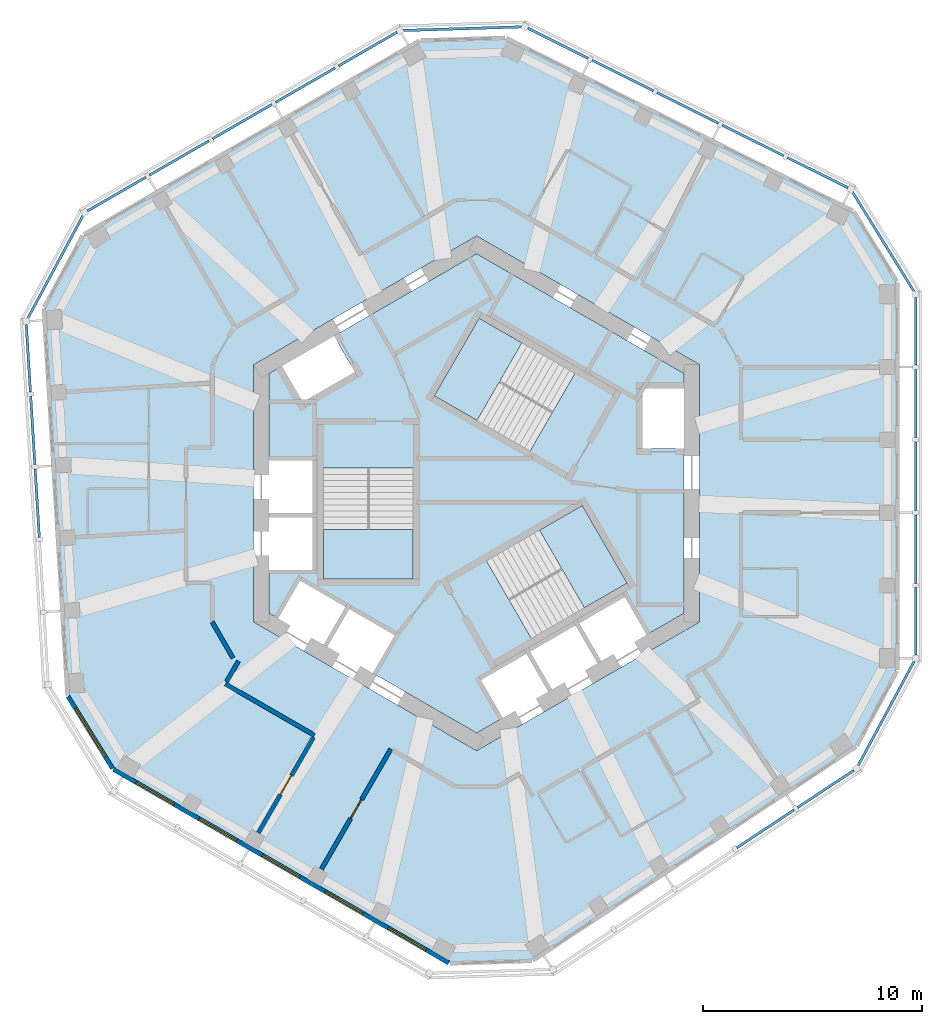
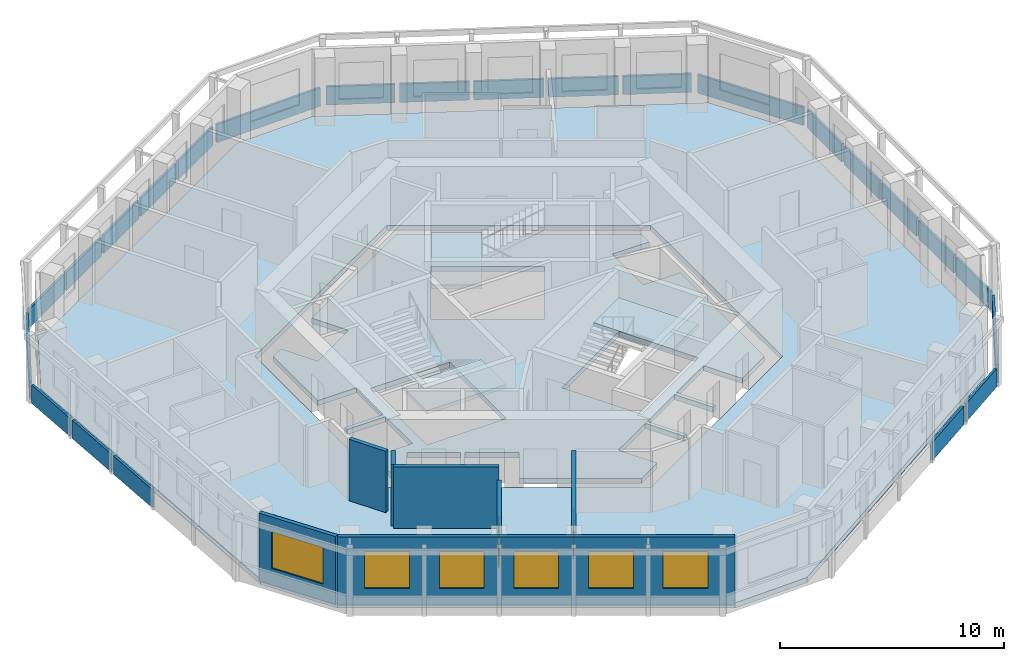
# One storey, part 3 of 11: 24 plates, 7 walls, 6 windows, 5 slabs, 2 doors, 8 openings, 12 elements without a shape of their own.
"""IFC4 building model written with IfcOpenShell, lengths in metres."""

from ifc_helpers import new_model, si_unit, direction, frame, frame_2d, origin, origin_2d, place, context, subcontext, project, spatial, polyline, rectangle, outline, extrude, material, layer, layer_set, type_object, element, fill, aggregate, save


model = new_model("IFC4")

# Units and contexts
model_context = context("Model", 3, precision=1e-05, world=origin(), true_north=direction((0.0, 1.0)))
body_context = subcontext(model_context, "Body", "Model", "MODEL_VIEW")
ifc_project = project(units=[si_unit("LENGTHUNIT", "METRE"), si_unit("AREAUNIT", "SQUARE_METRE"), si_unit("VOLUMEUNIT", "CUBIC_METRE"), si_unit("PLANEANGLEUNIT", "RADIAN"), si_unit("MASSUNIT", "GRAM", prefix="KILO")], contexts=[model_context])

# Site, building, storey
site_placement = place(None, origin())
site = spatial("IfcSite", under=ifc_project, at=site_placement, CompositionType="ELEMENT")
building_placement = place(site_placement, origin())
building = spatial("IfcBuilding", under=site, at=building_placement, Name="Vanh Sen Convention Tower", CompositionType="ELEMENT")
storey_placement = place(building_placement, frame((0.0, 0.0, 296.800048828125)))
storey = spatial("IfcBuildingStorey", under=building, at=storey_placement, Name="L73", CompositionType="ELEMENT", Elevation=296.800048828125)

# Slabs
ifc_material_1 = material(Name="Concrete C40/50", Category="concrete")
ifc_layer_1 = layer(ifc_material_1, 0.280029296875)
ifc_layer_set_1 = layer_set([ifc_layer_1], Name="Concrete C40/50")
slab_type_1 = type_object("IfcSlabType", Name="Core slab 280", PredefinedType="FLOOR", material=ifc_layer_set_1)
slab_1_placement = place(storey_placement, frame((0.0, 0.0, -0.280029296875)))
element("IfcSlab", 1, at=slab_1_placement, inside=storey, type_object=slab_type_1, Name="Core slab L73", PredefinedType="FLOOR", context=body_context, shape_type="SweptSolid", body=[
    extrude(outline(polyline([(0.0, 10.9697265625), (9.5, 5.48486328125), (9.5, 4.800048828125), (7.60009765625, 4.800048828125), (7.60009765625, 2.050048828125), (9.5, 2.050048828125), (9.5, -5.48486328125), (7.781005859375, -6.477294921875), (6.781005859375, -4.7451171875), (4.70263671875, -5.9453125), (5.70263671875, -7.67724609375), (5.529296875, -7.777099609375), (4.529296875, -6.045166015625), (2.450927734375, -7.2451171875), (3.450927734375, -8.977294921875), (3.27783203125, -9.0771484375), (2.27783203125, -7.34521484375), (0.19921875, -8.545166015625), (1.19921875, -10.277099609375), (0.0, -10.9697265625), (-4.75, -8.227294921875), (-3.75, -6.4951171875), (-5.82861328125, -5.295166015625), (-6.82861328125, -7.027099609375), (-7.001708984375, -6.92724609375), (-6.001708984375, -5.1953125), (-8.080078125, -3.9951171875), (-9.080078125, -5.727294921875), (-9.5, -5.48486328125), (-9.5, -3.5), (-7.5, -3.5), (-7.5, -1.10009765625), (-9.5, -1.10009765625), (-9.5, -0.89990234375), (-7.5, -0.89990234375), (-7.5, 1.5), (-9.5, 1.5), (-9.5, 5.48486328125), (-8.906982421875, 5.8271484375), (-7.956787109375, 4.181884765625), (-5.575439453125, 5.556884765625), (-6.525390625, 7.2021484375), (0.0, 10.9697265625)]), holes=[polyline([(-7.0, 1.1494140625), (-7.0, -3.909912109375), (-2.89990234375, -3.909912109375), (-2.89990234375, 1.1494140625), (-7.0, 1.1494140625)]), polyline([(2.504638671875, -6.63671875), (6.88623046875, -4.107177734375), (4.836181640625, -0.556396484375), (0.45458984375, -3.086181640625), (2.504638671875, -6.63671875)]), polyline([(0.11376953125, 8.01708984375), (-1.936279296875, 4.466552734375), (2.4453125, 1.936767578125), (4.495361328125, 5.487548828125), (0.11376953125, 8.01708984375)])]), origin(), (0.0, 0.0, 1.0), 0.280029296875),
])
ifc_layer_2 = layer(ifc_material_1, 0.280029296875)
ifc_layer_set_2 = layer_set([ifc_layer_2], Name="Concrete C40/50")
slab_type_2 = type_object("IfcSlabType", Name="Floor slab 280 REI 120", PredefinedType="FLOOR", material=ifc_layer_set_2)
slab_2_placement = place(storey_placement, frame((0.0, 0.0, -0.280029296875)))
element("IfcSlab", 2, at=slab_2_placement, inside=storey, type_object=slab_type_2, Name="Floor slab L73 tower", PredefinedType="FLOOR", context=body_context, shape_type="SweptSolid", body=[
    extrude(outline(polyline([(19.199951171875, -8.0966796875), (19.199951171875, 9.66162109375), (17.21337890625, 12.871826171875), (1.32080078125, 20.79541015625), (-2.587890625, 20.676025390625), (-17.967041015625, 11.796875), (-19.75390625, 8.471435546875), (-18.669921875, -9.25390625), (-16.612060546875, -12.579345703125), (-1.23291015625, -21.45849609375), (2.54052734375, -21.34326171875), (17.34912109375, -11.541748046875), (19.199951171875, -8.0966796875)]), holes=[polyline([(0.0, 11.77783203125), (-10.199951171875, 5.888916015625), (-10.199951171875, -5.888916015625), (0.0, -11.77783203125), (10.199951171875, -5.888916015625), (10.199951171875, 5.888916015625), (0.0, 11.77783203125)])]), origin(), (0.0, 0.0, 1.0), 0.280029296875),
])

# Curtain wall, plates
ifc_material_2 = material(Name="Concrete C50/60", Category="concrete")
curtain_wall_type = type_object("IfcCurtainWallType", Name="Outer skin office zone", PredefinedType="NOTDEFINED", material=ifc_material_2)
curtain_wall_1_placement = place(storey_placement, origin())
curtain_wall_1 = element("IfcCurtainWall", 3, at=curtain_wall_1_placement, inside=storey, type_object=curtain_wall_type, Name="OUTER SKIN E L73", PredefinedType="NOTDEFINED")
ifc_layer_3 = layer(ifc_material_2, 0.1201171875)
ifc_layer_set_3 = layer_set([ifc_layer_3], Name="Concrete C50/60")
plate_type = type_object("IfcPlateType", Name="Outer skin precast screen panel 120", PredefinedType="CURTAIN_PANEL", material=ifc_layer_set_3)
plate_1_placement = place(storey_placement, frame((20.10009765625, -5.85595703125, 0.0), z_axis=(0.0, 0.0, 1.0), x_axis=(0.0, 1.0, 0.0)))
plate_1 = element("IfcPlate", 4, at=plate_1_placement, type_object=plate_type, Name="OUTER SKIN screen panel E-1", PredefinedType="CURTAIN_PANEL", context=body_context, shape_type="SweptSolid", body=[
    extrude(rectangle(XDim=3.08154296875, YDim=0.1201171875, at=origin_2d()), origin(), (0.0, 0.0, 1.0), 1.0),
])
plate_2_placement = place(storey_placement, frame((20.10009765625, -2.54931640625, 0.0), z_axis=(0.0, 0.0, 1.0), x_axis=(0.0, 1.0, 0.0)))
plate_2 = element("IfcPlate", 5, at=plate_2_placement, type_object=plate_type, Name="OUTER SKIN screen panel E-2", PredefinedType="CURTAIN_PANEL", context=body_context, shape_type="SweptSolid", body=[
    extrude(rectangle(XDim=3.131591796875, YDim=0.1201171875, at=origin_2d()), origin(), (0.0, 0.0, 1.0), 1.0),
])
plate_3_placement = place(storey_placement, frame((20.10009765625, 0.782470703125, 0.0), z_axis=(0.0, 0.0, 1.0), x_axis=(0.0, 1.0, 0.0)))
plate_3 = element("IfcPlate", 6, at=plate_3_placement, type_object=plate_type, Name="OUTER SKIN screen panel E-3", PredefinedType="CURTAIN_PANEL", context=body_context, shape_type="SweptSolid", body=[
    extrude(rectangle(XDim=3.131591796875, YDim=0.1201171875, at=origin_2d()), origin(), (0.0, 0.0, 1.0), 1.0),
])
plate_4_placement = place(storey_placement, frame((20.10009765625, 4.114013671875, 0.0), z_axis=(0.0, 0.0, 1.0), x_axis=(0.0, 1.0, 0.0)))
plate_4 = element("IfcPlate", 7, at=plate_4_placement, type_object=plate_type, Name="OUTER SKIN screen panel E-4", PredefinedType="CURTAIN_PANEL", context=body_context, shape_type="SweptSolid", body=[
    extrude(rectangle(XDim=3.131591796875, YDim=0.1201171875, at=origin_2d()), origin(), (0.0, 0.0, 1.0), 1.0),
])
plate_5_placement = place(storey_placement, frame((20.10009765625, 7.420654296875, 0.0), z_axis=(0.0, 0.0, 1.0), x_axis=(0.0, 1.0, 0.0)))
plate_5 = element("IfcPlate", 8, at=plate_5_placement, type_object=plate_type, Name="OUTER SKIN screen panel E-5", PredefinedType="CURTAIN_PANEL", context=body_context, shape_type="SweptSolid", body=[
    extrude(rectangle(XDim=3.08154296875, YDim=0.1201171875, at=origin_2d()), origin(), (0.0, 0.0, 1.0), 1.0),
])
aggregate(curtain_wall_1, [plate_1, plate_2, plate_3, plate_4, plate_5])

# Curtain wall, plate
curtain_wall_2_placement = place(storey_placement, origin())
curtain_wall_2 = element("IfcCurtainWall", 9, at=curtain_wall_2_placement, inside=storey, type_object=curtain_wall_type, Name="OUTER SKIN CH1 L73", PredefinedType="NOTDEFINED")
plate_6_placement = place(storey_placement, frame((18.611328125, 11.51708984375, 0.0), z_axis=(0.0, 0.0, 1.0), x_axis=(-0.526218376078, 0.850349469734, 0.0)))
plate_6 = element("IfcPlate", 10, at=plate_6_placement, type_object=plate_type, Name="OUTER SKIN screen panel CH1-1", PredefinedType="CURTAIN_PANEL", context=body_context, shape_type="SweptSolid", body=[
    extrude(rectangle(XDim=5.35791015625, YDim=0.1201171875, at=origin_2d()), origin(), (0.0, 0.0, 1.0), 1.0),
])
aggregate(curtain_wall_2, [plate_6])

# Curtain wall, plates
curtain_wall_3_placement = place(storey_placement, origin())
curtain_wall_3 = element("IfcCurtainWall", 11, at=curtain_wall_3_placement, inside=storey, type_object=curtain_wall_type, Name="OUTER SKIN NE L73", PredefinedType="NOTDEFINED")
plate_7_placement = place(storey_placement, frame((15.609619140625, 14.677001953125, 0.0), z_axis=(0.0, 0.0, 1.0), x_axis=(-0.894931246532, 0.446204060919, 0.0)))
plate_7 = element("IfcPlate", 12, at=plate_7_placement, type_object=plate_type, Name="OUTER SKIN screen panel NE-1", PredefinedType="CURTAIN_PANEL", context=body_context, shape_type="SweptSolid", body=[
    extrude(rectangle(XDim=3.081787109375, YDim=0.1201171875, at=origin_2d()), origin(), (0.0, 0.0, 1.0), 1.0),
])
plate_8_placement = place(storey_placement, frame((12.650390625, 16.152587890625, 0.0), z_axis=(0.0, 0.0, 1.0), x_axis=(-0.894931246532, 0.446204060919, 0.0)))
plate_8 = element("IfcPlate", 13, at=plate_8_placement, type_object=plate_type, Name="OUTER SKIN screen panel NE-2", PredefinedType="CURTAIN_PANEL", context=body_context, shape_type="SweptSolid", body=[
    extrude(rectangle(XDim=3.131591796875, YDim=0.1201171875, at=origin_2d()), origin(), (0.0, 0.0, 1.0), 1.0),
])
plate_9_placement = place(storey_placement, frame((9.668701171875, 17.63916015625, 0.0), z_axis=(0.0, 0.0, 1.0), x_axis=(-0.894931246532, 0.446204060919, 0.0)))
plate_9 = element("IfcPlate", 14, at=plate_9_placement, type_object=plate_type, Name="OUTER SKIN screen panel NE-3", PredefinedType="CURTAIN_PANEL", context=body_context, shape_type="SweptSolid", body=[
    extrude(rectangle(XDim=3.131591796875, YDim=0.1201171875, at=origin_2d()), origin(), (0.0, 0.0, 1.0), 1.0),
])
plate_10_placement = place(storey_placement, frame((6.687255859375, 19.125732421875, 0.0), z_axis=(0.0, 0.0, 1.0), x_axis=(-0.89494292782, 0.446180631521, 0.0)))
plate_10 = element("IfcPlate", 15, at=plate_10_placement, type_object=plate_type, Name="OUTER SKIN screen panel NE-4", PredefinedType="CURTAIN_PANEL", context=body_context, shape_type="SweptSolid", body=[
    extrude(rectangle(XDim=3.131591796875, YDim=0.1201171875, at=origin_2d()), origin(), (0.0, 0.0, 1.0), 1.0),
])
plate_11_placement = place(storey_placement, frame((3.727783203125, 20.60107421875, 0.0), z_axis=(0.0, 0.0, 1.0), x_axis=(-0.894931246532, 0.446204060919, 0.0)))
plate_11 = element("IfcPlate", 16, at=plate_11_placement, type_object=plate_type, Name="OUTER SKIN screen panel NE-5", PredefinedType="CURTAIN_PANEL", context=body_context, shape_type="SweptSolid", body=[
    extrude(rectangle(XDim=3.081787109375, YDim=0.1201171875, at=origin_2d()), origin(), (0.0, 0.0, 1.0), 1.0),
])
aggregate(curtain_wall_3, [plate_7, plate_8, plate_9, plate_10, plate_11])

# Curtain wall, plate
curtain_wall_4_placement = place(storey_placement, origin())
curtain_wall_4 = element("IfcCurtainWall", 17, at=curtain_wall_4_placement, inside=storey, type_object=curtain_wall_type, Name="OUTER SKIN CH2 L73", PredefinedType="NOTDEFINED")
plate_12_placement = place(storey_placement, frame((-0.64990234375, 21.26806640625, 0.0), z_axis=(0.0, 0.0, 1.0), x_axis=(-0.99953391058, -0.030528046117, 0.0)))
plate_12 = element("IfcPlate", 18, at=plate_12_placement, type_object=plate_type, Name="OUTER SKIN screen panel CH2-1", PredefinedType="CURTAIN_PANEL", context=body_context, shape_type="SweptSolid", body=[
    extrude(rectangle(XDim=5.431640625, YDim=0.1201171875, at=origin_2d()), origin(), (0.0, 0.0, 1.0), 1.0),
])
aggregate(curtain_wall_4, [plate_12])

# Curtain wall, plates
curtain_wall_5_placement = place(storey_placement, origin())
curtain_wall_5 = element("IfcCurtainWall", 19, at=curtain_wall_5_placement, inside=storey, type_object=curtain_wall_type, Name="OUTER SKIN NW L73", PredefinedType="NOTDEFINED")
plate_13_placement = place(storey_placement, frame((-4.978515625, 20.335205078125, 0.0), z_axis=(0.0, 0.0, 1.0), x_axis=(-0.866015804314, -0.500016626402, 0.0)))
plate_13 = element("IfcPlate", 20, at=plate_13_placement, type_object=plate_type, Name="OUTER SKIN screen panel NW-1", PredefinedType="CURTAIN_PANEL", context=body_context, shape_type="SweptSolid", body=[
    extrude(rectangle(XDim=3.081787109375, YDim=0.1201171875, at=origin_2d()), origin(), (0.0, 0.0, 1.0), 1.0),
])
plate_14_placement = place(storey_placement, frame((-7.84228515625, 18.681640625, 0.0), z_axis=(0.0, 0.0, 1.0), x_axis=(-0.866028894422, -0.49999395399, 0.0)))
plate_14 = element("IfcPlate", 21, at=plate_14_placement, type_object=plate_type, Name="OUTER SKIN screen panel NW-2", PredefinedType="CURTAIN_PANEL", context=body_context, shape_type="SweptSolid", body=[
    extrude(rectangle(XDim=3.131591796875, YDim=0.1201171875, at=origin_2d()), origin(), (0.0, 0.0, 1.0), 1.0),
])
plate_15_placement = place(storey_placement, frame((-10.7275390625, 17.015869140625, 0.0), z_axis=(0.0, 0.0, 1.0), x_axis=(-0.866028894422, -0.49999395399, 0.0)))
plate_15 = element("IfcPlate", 22, at=plate_15_placement, type_object=plate_type, Name="OUTER SKIN screen panel NW-3", PredefinedType="CURTAIN_PANEL", context=body_context, shape_type="SweptSolid", body=[
    extrude(rectangle(XDim=3.131591796875, YDim=0.1201171875, at=origin_2d()), origin(), (0.0, 0.0, 1.0), 1.0),
])
plate_16_placement = place(storey_placement, frame((-13.61279296875, 15.35009765625, 0.0), z_axis=(0.0, 0.0, 1.0), x_axis=(-0.866015804314, -0.500016626402, 0.0)))
plate_16 = element("IfcPlate", 23, at=plate_16_placement, type_object=plate_type, Name="OUTER SKIN screen panel NW-4", PredefinedType="CURTAIN_PANEL", context=body_context, shape_type="SweptSolid", body=[
    extrude(rectangle(XDim=3.131591796875, YDim=0.1201171875, at=origin_2d()), origin(), (0.0, 0.0, 1.0), 1.0),
])
plate_17_placement = place(storey_placement, frame((-16.4765625, 13.69677734375, 0.0), z_axis=(0.0, 0.0, 1.0), x_axis=(-0.866028894422, -0.49999395399, 0.0)))
plate_17 = element("IfcPlate", 24, at=plate_17_placement, type_object=plate_type, Name="OUTER SKIN screen panel NW-5", PredefinedType="CURTAIN_PANEL", context=body_context, shape_type="SweptSolid", body=[
    extrude(rectangle(XDim=3.08154296875, YDim=0.1201171875, at=origin_2d()), origin(), (0.0, 0.0, 1.0), 1.0),
])
aggregate(curtain_wall_5, [plate_13, plate_14, plate_15, plate_16, plate_17])

# Curtain wall, plate
curtain_wall_6_placement = place(storey_placement, origin())
curtain_wall_6 = element("IfcCurtainWall", 25, at=curtain_wall_6_placement, inside=storey, type_object=curtain_wall_type, Name="OUTER SKIN CH3 L73", PredefinedType="NOTDEFINED")
plate_18_placement = place(storey_placement, frame((-19.27978515625, 10.359375, 0.0), z_axis=(0.0, 0.0, 1.0), x_axis=(-0.473324279511, -0.880888259897, 0.0)))
plate_18 = element("IfcPlate", 26, at=plate_18_placement, type_object=plate_type, Name="OUTER SKIN screen panel CH3-1", PredefinedType="CURTAIN_PANEL", context=body_context, shape_type="SweptSolid", body=[
    extrude(rectangle(XDim=5.35791015625, YDim=0.1201171875, at=origin_2d()), origin(), (0.0, 0.0, 1.0), 1.0),
])
aggregate(curtain_wall_6, [plate_18])

# Curtain wall, plates
curtain_wall_7_placement = place(storey_placement, origin())
curtain_wall_7 = element("IfcCurtainWall", 27, at=curtain_wall_7_placement, inside=storey, type_object=curtain_wall_type, Name="OUTER SKIN W L73", PredefinedType="NOTDEFINED")
plate_19_placement = place(storey_placement, frame((-20.515380859375, 6.1796875, 0.0), z_axis=(0.0, 0.0, 1.0), x_axis=(0.061052023682, -0.998134585316, 0.0)))
plate_19 = element("IfcPlate", 28, at=plate_19_placement, type_object=plate_type, Name="OUTER SKIN screen panel W-1", PredefinedType="CURTAIN_PANEL", context=body_context, shape_type="SweptSolid", body=[
    extrude(rectangle(XDim=3.08154296875, YDim=0.1201171875, at=origin_2d()), origin(), (0.0, 0.0, 1.0), 1.0),
])
plate_20_placement = place(storey_placement, frame((-20.313720703125, 2.87939453125, 0.0), z_axis=(0.0, 0.0, 1.0), x_axis=(0.061050281609, -0.998134691871, 0.0)))
plate_20 = element("IfcPlate", 29, at=plate_20_placement, type_object=plate_type, Name="OUTER SKIN screen panel W-2", PredefinedType="CURTAIN_PANEL", context=body_context, shape_type="SweptSolid", body=[
    extrude(rectangle(XDim=3.131591796875, YDim=0.1201171875, at=origin_2d()), origin(), (0.0, 0.0, 1.0), 1.0),
])
plate_21_placement = place(storey_placement, frame((-20.1103515625, -0.4462890625, 0.0), z_axis=(0.0, 0.0, 1.0), x_axis=(0.061052023682, -0.998134585316, 0.0)))
plate_21 = element("IfcPlate", 30, at=plate_21_placement, type_object=plate_type, Name="OUTER SKIN screen panel W-3", PredefinedType="CURTAIN_PANEL", context=body_context, shape_type="SweptSolid", body=[
    extrude(rectangle(XDim=3.131591796875, YDim=0.1201171875, at=origin_2d()), origin(), (0.0, 0.0, 1.0), 1.0),
])
aggregate(curtain_wall_7, [plate_19, plate_20, plate_21])

curtain_wall_8_placement = place(storey_placement, origin())
curtain_wall_8 = element("IfcCurtainWall", 31, at=curtain_wall_8_placement, inside=storey, type_object=curtain_wall_type, Name="OUTER SKIN SE L73", PredefinedType="NOTDEFINED")
plate_22_placement = place(storey_placement, frame((13.2197265625, -15.35400390625, 0.0), z_axis=(0.0, 0.0, 1.0), x_axis=(0.833879078823, 0.551947173108, 0.0)))
plate_22 = element("IfcPlate", 32, at=plate_22_placement, type_object=plate_type, Name="OUTER SKIN screen panel SE-4", PredefinedType="CURTAIN_PANEL", context=body_context, shape_type="SweptSolid", body=[
    extrude(rectangle(XDim=3.131591796875, YDim=0.1201171875, at=origin_2d()), origin(), (0.0, 0.0, 1.0), 1.0),
])
plate_23_placement = place(storey_placement, frame((15.97705078125, -13.529052734375, 0.0), z_axis=(0.0, 0.0, 1.0), x_axis=(0.833879078823, 0.551947173108, 0.0)))
plate_23 = element("IfcPlate", 33, at=plate_23_placement, type_object=plate_type, Name="OUTER SKIN screen panel SE-5", PredefinedType="CURTAIN_PANEL", context=body_context, shape_type="SweptSolid", body=[
    extrude(rectangle(XDim=3.081787109375, YDim=0.1201171875, at=origin_2d()), origin(), (0.0, 0.0, 1.0), 1.0),
])
aggregate(curtain_wall_8, [plate_22, plate_23])

# Curtain wall, plate
curtain_wall_9_placement = place(storey_placement, origin())
curtain_wall_9 = element("IfcCurtainWall", 34, at=curtain_wall_9_placement, inside=storey, type_object=curtain_wall_type, Name="OUTER SKIN CH6 L73", PredefinedType="NOTDEFINED")
plate_24_placement = place(storey_placement, frame((18.743408203125, -10.0712890625, 0.0), z_axis=(0.0, 0.0, 1.0), x_axis=(0.473324279511, 0.880888259897, 0.0)))
plate_24 = element("IfcPlate", 35, at=plate_24_placement, type_object=plate_type, Name="OUTER SKIN screen panel CH6-1", PredefinedType="CURTAIN_PANEL", context=body_context, shape_type="SweptSolid", body=[
    extrude(rectangle(XDim=5.431884765625, YDim=0.1201171875, at=origin_2d()), origin(), (0.0, 0.0, 1.0), 1.0),
])
aggregate(curtain_wall_9, [plate_24])

# Stair, slab
ifc_material_3 = material(Name="Concrete C50/60", Category="concrete")
stair_type_1 = type_object("IfcStairType", Name="Exit stair ST1 22 risers at 168.2", PredefinedType="HALF_TURN_STAIR", material=ifc_material_3)
stair_1_placement = place(storey_placement, origin())
stair_1 = element("IfcStair", 36, at=stair_1_placement, inside=storey, type_object=stair_type_1, Name="Exit stair ST1 L73", PredefinedType="HALF_TURN_STAIR")
ifc_layer_4 = layer(ifc_material_1, 0.199951171875)
ifc_layer_set_4 = layer_set([ifc_layer_4], Name="Concrete C40/50")
slab_type_3 = type_object("IfcSlabType", Name="Stair landing 200", PredefinedType="LANDING", material=ifc_layer_set_4)
slab_3_placement = place(storey_placement, frame((0.0, 0.0, 1.64990234375)))
slab_3 = element("IfcSlab", 37, at=slab_3_placement, type_object=slab_type_3, Name="ST1 landing 1", PredefinedType="LANDING", context=body_context, shape_type="SweptSolid", body=[
    extrude(outline(polyline([(2.07177734375, 6.88671875), (0.11376953125, 8.01708984375), (-1.936279296875, 4.466552734375), (0.021728515625, 3.336181640625), (2.07177734375, 6.88671875)])), origin(), (0.0, 0.0, 1.0), 0.199951171875),
])
aggregate(stair_1, [slab_3])

stair_type_2 = type_object("IfcStairType", Name="Exit stair ST2 22 risers at 168.2", PredefinedType="HALF_TURN_STAIR", material=ifc_material_3)
stair_2_placement = place(storey_placement, origin())
stair_2 = element("IfcStair", 38, at=stair_2_placement, inside=storey, type_object=stair_type_2, Name="Exit stair ST2 L73", PredefinedType="HALF_TURN_STAIR")
slab_4_placement = place(storey_placement, frame((0.0, 0.0, 1.64990234375)))
slab_4 = element("IfcSlab", 39, at=slab_4_placement, type_object=slab_type_3, Name="ST2 landing 1", PredefinedType="LANDING", context=body_context, shape_type="SweptSolid", body=[
    extrude(outline(polyline([(-7.0, -1.6494140625), (-7.0, -3.909912109375), (-2.89990234375, -3.909912109375), (-2.89990234375, -1.6494140625), (-7.0, -1.6494140625)])), origin(), (0.0, 0.0, 1.0), 0.199951171875),
])
aggregate(stair_2, [slab_4])

stair_type_3 = type_object("IfcStairType", Name="Exit stair ST3 22 risers at 168.2", PredefinedType="HALF_TURN_STAIR", material=ifc_material_3)
stair_3_placement = place(storey_placement, origin())
stair_3 = element("IfcStair", 40, at=stair_3_placement, inside=storey, type_object=stair_type_3, Name="Exit stair ST3 L73", PredefinedType="HALF_TURN_STAIR")
slab_5_placement = place(storey_placement, frame((0.0, 0.0, 1.64990234375)))
slab_5 = element("IfcSlab", 41, at=slab_5_placement, type_object=slab_type_3, Name="ST3 landing 1", PredefinedType="LANDING", context=body_context, shape_type="SweptSolid", body=[
    extrude(outline(polyline([(4.92822265625, -5.237548828125), (6.88623046875, -4.107177734375), (4.836181640625, -0.556396484375), (2.87841796875, -1.686767578125), (4.92822265625, -5.237548828125)])), origin(), (0.0, 0.0, 1.0), 0.199951171875),
])
aggregate(stair_3, [slab_5])

# Walls
ifc_material_4 = material(Name="Gypsum board on steel studs with mineral wool", Category="steel")
ifc_layer_5 = layer(ifc_material_4, 0.199951171875)
ifc_layer_set_5 = layer_set([ifc_layer_5], Name="Gypsum board on steel studs with mineral wool")
wall_type_1 = type_object("IfcWallType", Name="Corridor partition wall 200", PredefinedType="PARTITIONING", material=ifc_layer_set_5)
wall_1_placement = place(storey_placement, frame((-12.10009765625, -5.888916015625, 0.0), z_axis=(0.0, 0.0, 1.0), x_axis=(0.500063520245, -0.865988727248, 0.0)))
element("IfcWall", 42, at=wall_1_placement, inside=storey, type_object=wall_type_1, Name="Corridor partition wall 200", PredefinedType="PARTITIONING", context=body_context, shape_type="SweptSolid", body=[
    extrude(rectangle(XDim=1.900146484375, YDim=0.199951171875, at=frame_2d((0.9501953125, 0.0))), origin(), (0.0, 0.0, 1.0), 3.349853515625),
])
wall_2_placement = place(storey_placement, frame((-11.501220703125, -8.718505859375, 0.0), z_axis=(0.0, 0.0, 1.0), x_axis=(0.866024434742, -0.500001678427, 0.0)))
element("IfcWall", 43, at=wall_2_placement, inside=storey, type_object=wall_type_1, Name="Corridor partition wall 200", PredefinedType="PARTITIONING", context=body_context, shape_type="SweptSolid", body=[
    extrude(rectangle(XDim=4.7177734375, YDim=0.199951171875, at=frame_2d((2.35888671875, 0.0))), origin(), (0.0, 0.0, 1.0), 3.349853515625),
])
wall_3_placement = place(storey_placement, frame((-10.900634765625, -7.678466796875, 0.0), z_axis=(0.0, 0.0, 1.0), x_axis=(-0.500074377092, -0.865982457891, 0.0)))
element("IfcWall", 44, at=wall_3_placement, inside=storey, type_object=wall_type_1, Name="Corridor partition wall 200", PredefinedType="PARTITIONING", context=body_context, shape_type="SweptSolid", body=[
    extrude(rectangle(XDim=1.100830078125, YDim=0.199951171875, at=frame_2d((0.55029296875, 0.0))), origin(), (0.0, 0.0, 1.0), 3.349853515625),
])

# Wall, opening, door
wall_4_placement = place(storey_placement, frame((-9.989990234375, -15.53662109375, 0.0), z_axis=(0.0, 0.0, 1.0), x_axis=(0.499966611936, 0.866044679534, 0.0)))
wall_4 = element("IfcWall", 45, at=wall_4_placement, inside=storey, type_object=wall_type_1, Name="Corridor partition wall 200", PredefinedType="PARTITIONING", context=body_context, shape_type="SweptSolid", body=[
    extrude(rectangle(XDim=5.049072265625, YDim=0.199951171875, at=frame_2d((2.5244140625, 0.0))), origin(), (0.0, 0.0, 1.0), 2.64990234375),
])
opening_1_placement = place(wall_4_placement, frame((2.0244140625, 0.0, 0.0)))
opening_1 = element("IfcOpeningElement", 46, at=opening_1_placement, cuts=wall_4, Name="Opening D72114", PredefinedType="OPENING", context=body_context, shape_type="SweptSolid", body=[
    extrude(rectangle(XDim=1.0, YDim=2.10009765625, at=frame_2d((0.5, 1.050048828125))), frame((0.0, 0.10986328125, 0.0), z_axis=(0.0, -1.0, 0.0), x_axis=(1.0, 0.0, 0.0)), (0.0, 0.0, 1.0), 0.219970703125),
])
ifc_material_5 = material(Name="Glazed fire door in steel frame", Category="steel")
door_type = type_object("IfcDoorType", Name="Tenant entrance door 1000", OperationType="SINGLE_SWING_LEFT", PredefinedType="DOOR", material=ifc_material_5)
door_1_placement = place(opening_1_placement, origin())
door_1 = element("IfcDoor", 47, at=door_1_placement, inside=storey, type_object=door_type, Name="Tenant suite entrance door D72114", OperationType="SINGLE_SWING_LEFT", OverallHeight=2.10009765625, OverallWidth=1.0, PredefinedType="DOOR", context=body_context, shape_type="SweptSolid", body=[
    extrude(rectangle(XDim=1.0, YDim=2.10009765625, at=frame_2d((0.5, 1.050048828125))), frame((0.0, 0.02490234375, 0.0), z_axis=(0.0, -1.0, 0.0), x_axis=(1.0, 0.0, 0.0)), (0.0, 0.0, 1.0), 0.050048828125),
])
fill(opening_1, door_1)

wall_5_placement = place(storey_placement, frame((-7.104736328125, -17.202392578125, 0.0), z_axis=(0.0, 0.0, 1.0), x_axis=(0.499988692146, 0.866031932279, 0.0)))
wall_5 = element("IfcWall", 48, at=wall_5_placement, inside=storey, type_object=wall_type_1, Name="Corridor partition wall 200", PredefinedType="PARTITIONING", context=body_context, shape_type="SweptSolid", body=[
    extrude(rectangle(XDim=6.350341796875, YDim=0.199951171875, at=frame_2d((3.17529296875, 0.0))), origin(), (0.0, 0.0, 1.0), 3.349853515625),
])
opening_2_placement = place(wall_5_placement, frame((2.675048828125, 0.0, 0.0)))
opening_2 = element("IfcOpeningElement", 49, at=opening_2_placement, cuts=wall_5, Name="Opening D72115", PredefinedType="OPENING", context=body_context, shape_type="SweptSolid", body=[
    extrude(rectangle(XDim=1.0, YDim=2.10009765625, at=frame_2d((0.5, 1.050048828125))), frame((0.0, 0.10986328125, 0.0), z_axis=(0.0, -1.0, 0.0), x_axis=(1.0, 0.0, 0.0)), (0.0, 0.0, 1.0), 0.219970703125),
])
door_2_placement = place(opening_2_placement, origin())
door_2 = element("IfcDoor", 50, at=door_2_placement, inside=storey, type_object=door_type, Name="Tenant suite entrance door D72115", OperationType="SINGLE_SWING_LEFT", OverallHeight=2.10009765625, OverallWidth=1.0, PredefinedType="DOOR", context=body_context, shape_type="SweptSolid", body=[
    extrude(rectangle(XDim=1.0, YDim=2.10009765625, at=frame_2d((0.5, 1.050048828125))), frame((0.0, 0.02490234375, 0.0), z_axis=(0.0, -1.0, 0.0), x_axis=(1.0, 0.0, 0.0)), (0.0, 0.0, 1.0), 0.050048828125),
])
fill(opening_2, door_2)

# Wall, opening, window
ifc_material_6 = material(Name="Insulated lightweight infill wall")
ifc_layer_6 = layer(ifc_material_6, 0.199951171875)
ifc_layer_set_6 = layer_set([ifc_layer_6], Name="Insulated lightweight infill wall")
wall_type_2 = type_object("IfcWallType", Name="External wall 200", PredefinedType="STANDARD", material=ifc_layer_set_6)
wall_6_placement = place(storey_placement, frame((-18.705810546875, -9.290771484375, 0.0), z_axis=(0.0, 0.0, 1.0), x_axis=(0.526209683648, -0.850354848775, 0.0)))
wall_6 = element("IfcWall", 51, at=wall_6_placement, inside=storey, type_object=wall_type_2, Name="External wall CH4 L73", PredefinedType="STANDARD", context=body_context, shape_type="SweptSolid", body=[
    extrude(rectangle(XDim=3.8857421875, YDim=0.199951171875, at=frame_2d((1.94287109375, 0.0))), origin(), (0.0, 0.0, 1.0), 3.699951171875),
])
opening_3_placement = place(wall_6_placement, frame((0.642822265625, 0.0, 0.89990234375)))
opening_3 = element("IfcOpeningElement", 52, at=opening_3_placement, cuts=wall_6, Name="Opening WO6-CH41", PredefinedType="OPENING", context=body_context, shape_type="SweptSolid", body=[
    extrude(rectangle(XDim=2.60009765625, YDim=2.0, at=frame_2d((1.300048828125, 1.0))), frame((0.0, 0.10986328125, 0.0), z_axis=(0.0, -1.0, 0.0), x_axis=(1.0, 0.0, 0.0)), (0.0, 0.0, 1.0), 0.219970703125),
])
ifc_material_7 = material(Name="Aluminium frame with clear low-emissivity glass", Category="aluminium")
window_type_1 = type_object("IfcWindowType", Name="Office window 2600 x 2000", PartitioningType="SINGLE_PANEL", PredefinedType="WINDOW", material=ifc_material_7)
window_1_placement = place(opening_3_placement, origin())
window_1 = element("IfcWindow", 53, at=window_1_placement, inside=storey, type_object=window_type_1, Name="Window WO6-CH41", OverallHeight=2.0, OverallWidth=2.60009765625, PartitioningType="SINGLE_PANEL", PredefinedType="WINDOW", context=body_context, shape_type="SweptSolid", body=[
    extrude(rectangle(XDim=2.60009765625, YDim=2.0, at=frame_2d((1.300048828125, 1.0))), frame((0.0, 0.030029296875, 0.0), z_axis=(0.0, -1.0, 0.0), x_axis=(1.0, 0.0, 0.0)), (0.0, 0.0, 1.0), 0.06005859375),
])
fill(opening_3, window_1)

# Wall, openings, windows
wall_7_placement = place(storey_placement, frame((-16.626220703125, -12.62890625, 0.0), z_axis=(0.0, 0.0, 1.0), x_axis=(0.866026460444, -0.499998169808, 0.0)))
wall_7 = element("IfcWall", 54, at=wall_7_placement, inside=storey, type_object=wall_type_2, Name="External wall SW L73", PredefinedType="STANDARD", context=body_context, shape_type="SweptSolid", body=[
    extrude(rectangle(XDim=17.7314453125, YDim=0.199951171875, at=frame_2d((8.86572265625, 0.0))), origin(), (0.0, 0.0, 1.0), 3.699951171875),
])
opening_4_placement = place(wall_7_placement, frame((1.203125, 0.0, 0.89990234375)))
opening_4 = element("IfcOpeningElement", 55, at=opening_4_placement, cuts=wall_7, Name="Opening WO5-SW1", PredefinedType="OPENING", context=body_context, shape_type="SweptSolid", body=[
    extrude(rectangle(XDim=2.0, YDim=2.0, at=frame_2d((1.0, 1.0))), frame((0.0, 0.10986328125, 0.0), z_axis=(0.0, -1.0, 0.0), x_axis=(1.0, 0.0, 0.0)), (0.0, 0.0, 1.0), 0.219970703125),
])
opening_5_placement = place(wall_7_placement, frame((4.534912109375, 0.0, 0.89990234375)))
opening_5 = element("IfcOpeningElement", 56, at=opening_5_placement, cuts=wall_7, Name="Opening WO5-SW2", PredefinedType="OPENING", context=body_context, shape_type="SweptSolid", body=[
    extrude(rectangle(XDim=2.0, YDim=2.0, at=frame_2d((1.0, 1.0))), frame((0.0, 0.10986328125, 0.0), z_axis=(0.0, -1.0, 0.0), x_axis=(1.0, 0.0, 0.0)), (0.0, 0.0, 1.0), 0.219970703125),
])
opening_6_placement = place(wall_7_placement, frame((7.86669921875, 0.0, 0.89990234375)))
opening_6 = element("IfcOpeningElement", 57, at=opening_6_placement, cuts=wall_7, Name="Opening WO5-SW3", PredefinedType="OPENING", context=body_context, shape_type="SweptSolid", body=[
    extrude(rectangle(XDim=2.0, YDim=2.0, at=frame_2d((1.0, 1.0))), frame((0.0, 0.10986328125, 0.0), z_axis=(0.0, -1.0, 0.0), x_axis=(1.0, 0.0, 0.0)), (0.0, 0.0, 1.0), 0.219970703125),
])
opening_7_placement = place(wall_7_placement, frame((11.1982421875, 0.0, 0.89990234375)))
opening_7 = element("IfcOpeningElement", 58, at=opening_7_placement, cuts=wall_7, Name="Opening WO5-SW4", PredefinedType="OPENING", context=body_context, shape_type="SweptSolid", body=[
    extrude(rectangle(XDim=2.0, YDim=2.0, at=frame_2d((1.0, 1.0))), frame((0.0, 0.10986328125, 0.0), z_axis=(0.0, -1.0, 0.0), x_axis=(1.0, 0.0, 0.0)), (0.0, 0.0, 1.0), 0.219970703125),
])
opening_8_placement = place(wall_7_placement, frame((14.52978515625, 0.0, 0.89990234375)))
opening_8 = element("IfcOpeningElement", 59, at=opening_8_placement, cuts=wall_7, Name="Opening WO5-SW5", PredefinedType="OPENING", context=body_context, shape_type="SweptSolid", body=[
    extrude(rectangle(XDim=2.0, YDim=2.0, at=frame_2d((1.0, 1.0))), frame((0.0, 0.10986328125, 0.0), z_axis=(0.0, -1.0, 0.0), x_axis=(1.0, 0.0, 0.0)), (0.0, 0.0, 1.0), 0.219970703125),
])
window_type_2 = type_object("IfcWindowType", Name="Office window 2000 x 2000", PartitioningType="SINGLE_PANEL", PredefinedType="WINDOW", material=ifc_material_7)
window_2_placement = place(opening_4_placement, origin())
window_2 = element("IfcWindow", 60, at=window_2_placement, inside=storey, type_object=window_type_2, Name="Window WO5-SW1", OverallHeight=2.0, OverallWidth=2.0, PartitioningType="SINGLE_PANEL", PredefinedType="WINDOW", context=body_context, shape_type="SweptSolid", body=[
    extrude(rectangle(XDim=2.0, YDim=2.0, at=frame_2d((1.0, 1.0))), frame((0.0, 0.030029296875, 0.0), z_axis=(0.0, -1.0, 0.0), x_axis=(1.0, 0.0, 0.0)), (0.0, 0.0, 1.0), 0.06005859375),
])
fill(opening_4, window_2)
window_3_placement = place(opening_5_placement, origin())
window_3 = element("IfcWindow", 61, at=window_3_placement, inside=storey, type_object=window_type_2, Name="Window WO5-SW2", OverallHeight=2.0, OverallWidth=2.0, PartitioningType="SINGLE_PANEL", PredefinedType="WINDOW", context=body_context, shape_type="SweptSolid", body=[
    extrude(rectangle(XDim=2.0, YDim=2.0, at=frame_2d((1.0, 1.0))), frame((0.0, 0.030029296875, 0.0), z_axis=(0.0, -1.0, 0.0), x_axis=(1.0, 0.0, 0.0)), (0.0, 0.0, 1.0), 0.06005859375),
])
fill(opening_5, window_3)
window_4_placement = place(opening_6_placement, origin())
window_4 = element("IfcWindow", 62, at=window_4_placement, inside=storey, type_object=window_type_2, Name="Window WO5-SW3", OverallHeight=2.0, OverallWidth=2.0, PartitioningType="SINGLE_PANEL", PredefinedType="WINDOW", context=body_context, shape_type="SweptSolid", body=[
    extrude(rectangle(XDim=2.0, YDim=2.0, at=frame_2d((1.0, 1.0))), frame((0.0, 0.030029296875, 0.0), z_axis=(0.0, -1.0, 0.0), x_axis=(1.0, 0.0, 0.0)), (0.0, 0.0, 1.0), 0.06005859375),
])
fill(opening_6, window_4)
window_5_placement = place(opening_7_placement, origin())
window_5 = element("IfcWindow", 63, at=window_5_placement, inside=storey, type_object=window_type_2, Name="Window WO5-SW4", OverallHeight=2.0, OverallWidth=2.0, PartitioningType="SINGLE_PANEL", PredefinedType="WINDOW", context=body_context, shape_type="SweptSolid", body=[
    extrude(rectangle(XDim=2.0, YDim=2.0, at=frame_2d((1.0, 1.0))), frame((0.0, 0.030029296875, 0.0), z_axis=(0.0, -1.0, 0.0), x_axis=(1.0, 0.0, 0.0)), (0.0, 0.0, 1.0), 0.06005859375),
])
fill(opening_7, window_5)
window_6_placement = place(opening_8_placement, origin())
window_6 = element("IfcWindow", 64, at=window_6_placement, inside=storey, type_object=window_type_2, Name="Window WO5-SW5", OverallHeight=2.0, OverallWidth=2.0, PartitioningType="SINGLE_PANEL", PredefinedType="WINDOW", context=body_context, shape_type="SweptSolid", body=[
    extrude(rectangle(XDim=2.0, YDim=2.0, at=frame_2d((1.0, 1.0))), frame((0.0, 0.030029296875, 0.0), z_axis=(0.0, -1.0, 0.0), x_axis=(1.0, 0.0, 0.0)), (0.0, 0.0, 1.0), 0.06005859375),
])
fill(opening_8, window_6)

save(model, "model.ifc")
